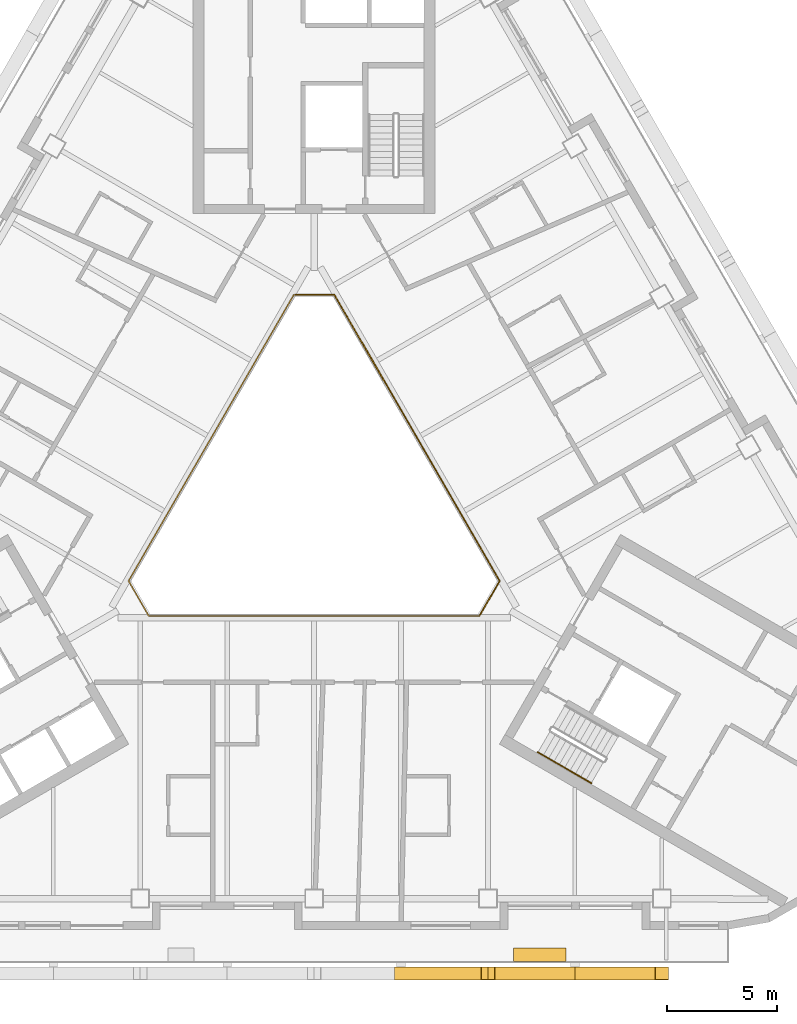
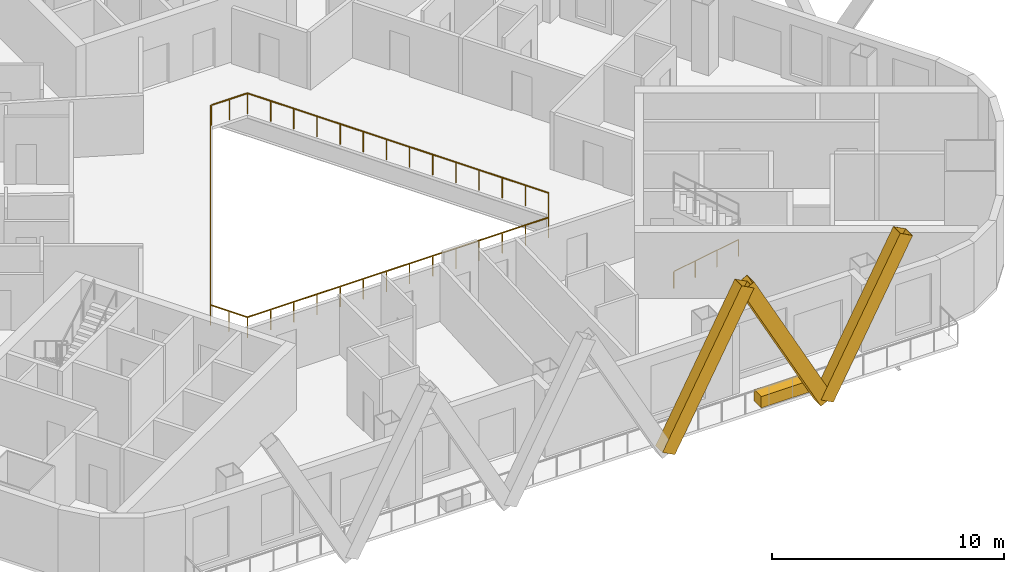
# One storey, part 11 of 14: 3 railings, 3 shading devices, 1 covering.
"""IFC4 building model written with IfcOpenShell, lengths in metres."""

from ifc_helpers import new_model, si_unit, direction, frame, origin, origin_2d, place, context, subcontext, project, spatial, rectangle, hollow_rectangle, circle, extrude, material, material_profile, profile_set, type_object, element, save


model = new_model("IFC4")

# Units and contexts
model_context = context("Model", 3, precision=1e-05, world=origin(), true_north=direction((0.0, 1.0)))
body_context = subcontext(model_context, "Body", "Model", "MODEL_VIEW")
ifc_project = project(units=[si_unit("LENGTHUNIT", "METRE"), si_unit("AREAUNIT", "SQUARE_METRE"), si_unit("VOLUMEUNIT", "CUBIC_METRE"), si_unit("PLANEANGLEUNIT", "RADIAN"), si_unit("MASSUNIT", "GRAM", prefix="KILO")], contexts=[model_context])

# Site, building, storey
site_placement = place(None, origin())
site = spatial("IfcSite", under=ifc_project, at=site_placement, CompositionType="ELEMENT")
building_placement = place(site_placement, origin())
building = spatial("IfcBuilding", under=site, at=building_placement, Name="Apuvela Tower Hotel", CompositionType="ELEMENT")
storey_placement = place(building_placement, frame((0.0, 0.0, 154.0)))
storey = spatial("IfcBuildingStorey", under=building, at=storey_placement, Name="L36", CompositionType="ELEMENT", Elevation=154.0)

# Railing
ifc_material_1 = material(Name="Stainless steel 316 handrail", Category="steel")
railing_type_1 = type_object("IfcRailingType", Name="COR-HANDRAIL-900", PredefinedType="HANDRAIL", material=ifc_material_1)
railing_1_placement = place(storey_placement, frame((10.1689453125, -11.5869140625, 0.168212890625)))
element("IfcRailing", 1, at=railing_1_placement, inside=storey, type_object=railing_type_1, Name="L36 ST3 stair handrail 1", PredefinedType="HANDRAIL", context=body_context, shape_type="SweptSolid", body=[
    extrude(circle(Radius=0.02392578125, at=origin_2d()), frame((0.0, 0.0, 0.8759765625), z_axis=(0.742390482028, -0.42860119049, 0.514934356695), x_axis=(0.49998411664, 0.866034573852, 0.0)), (0.0, 0.0, 1.0), 3.26611328125),
    extrude(rectangle(XDim=0.0419921875, YDim=0.0419921875, at=origin_2d()), origin(), (0.0, 0.0, 1.0), 0.851806640625),
    extrude(rectangle(XDim=0.0419921875, YDim=0.0419921875, at=origin_2d()), frame((0.808349609375, -0.466552734375, 0.560546875)), (0.0, 0.0, 1.0), 0.851806640625),
    extrude(rectangle(XDim=0.0419921875, YDim=0.0419921875, at=origin_2d()), frame((1.616455078125, -0.933349609375, 1.121337890625)), (0.0, 0.0, 1.0), 0.851806640625),
    extrude(rectangle(XDim=0.0419921875, YDim=0.0419921875, at=origin_2d()), frame((2.4248046875, -1.39990234375, 1.681884765625)), (0.0, 0.0, 1.0), 0.851806640625),
])

# Shading devices
ifc_material_2 = material(Name="Aluminium 6063-T6, black anodised", Category="aluminium")
ifc_material_profile = material_profile(ifc_material_2, hollow_rectangle(XDim=0.60009765625, YDim=0.699951171875, WallThickness=0.011962890625, at=origin_2d()), Name="AL BOX 700x600x12")
ifc_profile_set = profile_set([ifc_material_profile], Name="Aluminium 6063-T6, black anodised")
shading_device_type = type_object("IfcShadingDeviceType", Name="ENV-FIN-700x600", PredefinedType="USERDEFINED", material=ifc_profile_set)
for number, where, z_axis, x_axis, name in (
    (2, (3.949951171875, -21.6298828125, -0.10009765625), (0.470885802113, 0.0, 0.882194174413), (0.0, 1.0, 0.0), "Lattice fin S302"),
    (3, (11.85009765625, -21.6298828125, -0.10009765625), (-0.470908452903, 0.0, 0.882182083804), (0.0, -1.0, 0.0), "Lattice fin S303"),
    (4, (11.85009765625, -21.6298828125, -0.10009765625), (0.470885802113, 0.0, 0.882194174413), (0.0, 1.0, 0.0), "Lattice fin S304"),
):
    element("IfcShadingDevice", number, at=place(storey_placement, frame(where, z_axis=z_axis, x_axis=x_axis)), inside=storey, type_object=shading_device_type, Name=name, ObjectType="FIN", PredefinedType="USERDEFINED", context=body_context, shape_type="SweptSolid", body=[
        extrude(hollow_rectangle(XDim=0.60009765625, YDim=0.699951171875, WallThickness=0.011962890625, at=origin_2d()), origin(), (0.0, 0.0, 1.0), 8.388427734375),
    ])

# Railings
ifc_material_3 = material(Name="Stainless steel 316 rail with laminated glass infill", Category="steel")
railing_type_2 = type_object("IfcRailingType", Name="ENV-GUARD-1100", PredefinedType="GUARDRAIL", material=ifc_material_3)
railing_2_placement = place(storey_placement, frame((-0.923828125, 9.199951171875, 0.0)))
element("IfcRailing", 5, at=railing_2_placement, inside=storey, type_object=railing_type_2, Name="Atrium void guard A L36", PredefinedType="GUARDRAIL", context=body_context, shape_type="SweptSolid", body=[
    extrude(rectangle(XDim=0.050048828125, YDim=0.050048828125, at=origin_2d()), frame((0.0, 0.0, 1.0751953125), z_axis=(-0.499990886379, -0.866030665472, 0.0), x_axis=(0.866030665472, -0.499990886379, 0.0)), (0.0, 0.0, 1.0), 15.010986328125),
    extrude(rectangle(XDim=0.050048828125, YDim=0.050048828125, at=origin_2d()), frame((-7.50537109375, -13.0, 1.0751953125), z_axis=(0.499962699187, -0.866046938348, 0.0), x_axis=(0.866046938348, 0.499962699187, 0.0)), (0.0, 0.0, 1.0), 1.847412109375),
    extrude(rectangle(XDim=0.050048828125, YDim=0.050048828125, at=origin_2d()), frame((-6.581787109375, -14.599853515625, 1.0751953125), z_axis=(1.0, 0.0, 0.0), x_axis=(0.0, 1.0, 0.0)), (0.0, 0.0, 1.0), 15.01123046875),
    extrude(rectangle(XDim=0.0400390625, YDim=0.0400390625, at=origin_2d()), origin(), (0.0, 0.0, 1.0), 1.050048828125),
    extrude(rectangle(XDim=0.0400390625, YDim=0.0400390625, at=origin_2d()), frame((-0.577392578125, -1.0, 0.0)), (0.0, 0.0, 1.0), 1.050048828125),
    extrude(rectangle(XDim=0.0400390625, YDim=0.0400390625, at=origin_2d()), frame((-1.15478515625, -2.0, 0.0)), (0.0, 0.0, 1.0), 1.050048828125),
    extrude(rectangle(XDim=0.0400390625, YDim=0.0400390625, at=origin_2d()), frame((-1.73193359375, -3.0, 0.0)), (0.0, 0.0, 1.0), 1.050048828125),
    extrude(rectangle(XDim=0.0400390625, YDim=0.0400390625, at=origin_2d()), frame((-2.309326171875, -4.0, 0.0)), (0.0, 0.0, 1.0), 1.050048828125),
    extrude(rectangle(XDim=0.0400390625, YDim=0.0400390625, at=origin_2d()), frame((-2.88671875, -5.0, 0.0)), (0.0, 0.0, 1.0), 1.050048828125),
    extrude(rectangle(XDim=0.0400390625, YDim=0.0400390625, at=origin_2d()), frame((-3.464111328125, -6.0, 0.0)), (0.0, 0.0, 1.0), 1.050048828125),
    extrude(rectangle(XDim=0.0400390625, YDim=0.0400390625, at=origin_2d()), frame((-4.041259765625, -7.0, 0.0)), (0.0, 0.0, 1.0), 1.050048828125),
    extrude(rectangle(XDim=0.0400390625, YDim=0.0400390625, at=origin_2d()), frame((-4.61865234375, -8.0, 0.0)), (0.0, 0.0, 1.0), 1.050048828125),
    extrude(rectangle(XDim=0.0400390625, YDim=0.0400390625, at=origin_2d()), frame((-5.196044921875, -9.0, 0.0)), (0.0, 0.0, 1.0), 1.050048828125),
    extrude(rectangle(XDim=0.0400390625, YDim=0.0400390625, at=origin_2d()), frame((-5.7734375, -10.0, 0.0)), (0.0, 0.0, 1.0), 1.050048828125),
    extrude(rectangle(XDim=0.0400390625, YDim=0.0400390625, at=origin_2d()), frame((-6.3505859375, -11.0, 0.0)), (0.0, 0.0, 1.0), 1.050048828125),
    extrude(rectangle(XDim=0.0400390625, YDim=0.0400390625, at=origin_2d()), frame((-6.927978515625, -12.0, 0.0)), (0.0, 0.0, 1.0), 1.050048828125),
    extrude(rectangle(XDim=0.0400390625, YDim=0.0400390625, at=origin_2d()), frame((-7.50537109375, -13.0, 0.0)), (0.0, 0.0, 1.0), 1.050048828125),
    extrude(rectangle(XDim=0.0400390625, YDim=0.0400390625, at=origin_2d()), frame((-7.04345703125, -13.7998046875, 0.0)), (0.0, 0.0, 1.0), 1.050048828125),
    extrude(rectangle(XDim=0.0400390625, YDim=0.0400390625, at=origin_2d()), frame((-6.581787109375, -14.599853515625, 0.0)), (0.0, 0.0, 1.0), 1.050048828125),
    extrude(rectangle(XDim=0.0400390625, YDim=0.0400390625, at=origin_2d()), frame((-5.427001953125, -14.599853515625, 0.0)), (0.0, 0.0, 1.0), 1.050048828125),
    extrude(rectangle(XDim=0.0400390625, YDim=0.0400390625, at=origin_2d()), frame((-4.2724609375, -14.599853515625, 0.0)), (0.0, 0.0, 1.0), 1.050048828125),
    extrude(rectangle(XDim=0.0400390625, YDim=0.0400390625, at=origin_2d()), frame((-3.11767578125, -14.599853515625, 0.0)), (0.0, 0.0, 1.0), 1.050048828125),
    extrude(rectangle(XDim=0.0400390625, YDim=0.0400390625, at=origin_2d()), frame((-1.962890625, -14.599853515625, 0.0)), (0.0, 0.0, 1.0), 1.050048828125),
    extrude(rectangle(XDim=0.0400390625, YDim=0.0400390625, at=origin_2d()), frame((-0.808349609375, -14.599853515625, 0.0)), (0.0, 0.0, 1.0), 1.050048828125),
    extrude(rectangle(XDim=0.0400390625, YDim=0.0400390625, at=origin_2d()), frame((0.346435546875, -14.599853515625, 0.0)), (0.0, 0.0, 1.0), 1.050048828125),
    extrude(rectangle(XDim=0.0400390625, YDim=0.0400390625, at=origin_2d()), frame((1.501220703125, -14.599853515625, 0.0)), (0.0, 0.0, 1.0), 1.050048828125),
    extrude(rectangle(XDim=0.0400390625, YDim=0.0400390625, at=origin_2d()), frame((2.656005859375, -14.599853515625, 0.0)), (0.0, 0.0, 1.0), 1.050048828125),
    extrude(rectangle(XDim=0.0400390625, YDim=0.0400390625, at=origin_2d()), frame((3.810546875, -14.599853515625, 0.0)), (0.0, 0.0, 1.0), 1.050048828125),
    extrude(rectangle(XDim=0.0400390625, YDim=0.0400390625, at=origin_2d()), frame((4.96533203125, -14.599853515625, 0.0)), (0.0, 0.0, 1.0), 1.050048828125),
    extrude(rectangle(XDim=0.0400390625, YDim=0.0400390625, at=origin_2d()), frame((6.1201171875, -14.599853515625, 0.0)), (0.0, 0.0, 1.0), 1.050048828125),
    extrude(rectangle(XDim=0.0400390625, YDim=0.0400390625, at=origin_2d()), frame((7.274658203125, -14.599853515625, 0.0)), (0.0, 0.0, 1.0), 1.050048828125),
    extrude(rectangle(XDim=0.0400390625, YDim=0.0400390625, at=origin_2d()), frame((8.429443359375, -14.599853515625, 0.0)), (0.0, 0.0, 1.0), 1.050048828125),
])
railing_3_placement = place(storey_placement, frame((7.53564453125, -5.347900390625, 0.0)))
element("IfcRailing", 6, at=railing_3_placement, inside=storey, type_object=railing_type_2, Name="Atrium void guard B L36", PredefinedType="GUARDRAIL", context=body_context, shape_type="SweptSolid", body=[
    extrude(rectangle(XDim=0.050048828125, YDim=0.050048828125, at=origin_2d()), frame((0.0, 0.0, 1.0751953125), z_axis=(0.499958946799, 0.866049104564, 0.0), x_axis=(-0.866049104564, 0.499958946799, 0.0)), (0.0, 0.0, 1.0), 1.787353515625),
    extrude(rectangle(XDim=0.050048828125, YDim=0.050048828125, at=origin_2d()), frame((0.8935546875, 1.5478515625, 1.0751953125), z_axis=(-0.499990886379, 0.866030665472, 0.0), x_axis=(-0.866030665472, -0.499990886379, 0.0)), (0.0, 0.0, 1.0), 15.010986328125),
    extrude(rectangle(XDim=0.050048828125, YDim=0.050048828125, at=origin_2d()), frame((-6.61181640625, 14.5478515625, 1.0751953125), z_axis=(-1.0, 0.0, 0.0), x_axis=(0.0, -1.0, 0.0)), (0.0, 0.0, 1.0), 1.78759765625),
    extrude(rectangle(XDim=0.0400390625, YDim=0.0400390625, at=origin_2d()), origin(), (0.0, 0.0, 1.0), 1.050048828125),
    extrude(rectangle(XDim=0.0400390625, YDim=0.0400390625, at=origin_2d()), frame((0.44677734375, 0.77392578125, 0.0)), (0.0, 0.0, 1.0), 1.050048828125),
    extrude(rectangle(XDim=0.0400390625, YDim=0.0400390625, at=origin_2d()), frame((0.8935546875, 1.5478515625, 0.0)), (0.0, 0.0, 1.0), 1.050048828125),
    extrude(rectangle(XDim=0.0400390625, YDim=0.0400390625, at=origin_2d()), frame((0.316162109375, 2.5478515625, 0.0)), (0.0, 0.0, 1.0), 1.050048828125),
    extrude(rectangle(XDim=0.0400390625, YDim=0.0400390625, at=origin_2d()), frame((-0.26123046875, 3.5478515625, 0.0)), (0.0, 0.0, 1.0), 1.050048828125),
    extrude(rectangle(XDim=0.0400390625, YDim=0.0400390625, at=origin_2d()), frame((-0.83837890625, 4.5478515625, 0.0)), (0.0, 0.0, 1.0), 1.050048828125),
    extrude(rectangle(XDim=0.0400390625, YDim=0.0400390625, at=origin_2d()), frame((-1.415771484375, 5.5478515625, 0.0)), (0.0, 0.0, 1.0), 1.050048828125),
    extrude(rectangle(XDim=0.0400390625, YDim=0.0400390625, at=origin_2d()), frame((-1.9931640625, 6.5478515625, 0.0)), (0.0, 0.0, 1.0), 1.050048828125),
    extrude(rectangle(XDim=0.0400390625, YDim=0.0400390625, at=origin_2d()), frame((-2.570556640625, 7.5478515625, 0.0)), (0.0, 0.0, 1.0), 1.050048828125),
    extrude(rectangle(XDim=0.0400390625, YDim=0.0400390625, at=origin_2d()), frame((-3.147705078125, 8.5478515625, 0.0)), (0.0, 0.0, 1.0), 1.050048828125),
    extrude(rectangle(XDim=0.0400390625, YDim=0.0400390625, at=origin_2d()), frame((-3.72509765625, 9.5478515625, 0.0)), (0.0, 0.0, 1.0), 1.050048828125),
    extrude(rectangle(XDim=0.0400390625, YDim=0.0400390625, at=origin_2d()), frame((-4.302490234375, 10.5478515625, 0.0)), (0.0, 0.0, 1.0), 1.050048828125),
    extrude(rectangle(XDim=0.0400390625, YDim=0.0400390625, at=origin_2d()), frame((-4.8798828125, 11.5478515625, 0.0)), (0.0, 0.0, 1.0), 1.050048828125),
    extrude(rectangle(XDim=0.0400390625, YDim=0.0400390625, at=origin_2d()), frame((-5.45703125, 12.5478515625, 0.0)), (0.0, 0.0, 1.0), 1.050048828125),
    extrude(rectangle(XDim=0.0400390625, YDim=0.0400390625, at=origin_2d()), frame((-6.034423828125, 13.5478515625, 0.0)), (0.0, 0.0, 1.0), 1.050048828125),
    extrude(rectangle(XDim=0.0400390625, YDim=0.0400390625, at=origin_2d()), frame((-6.61181640625, 14.5478515625, 0.0)), (0.0, 0.0, 1.0), 1.050048828125),
    extrude(rectangle(XDim=0.0400390625, YDim=0.0400390625, at=origin_2d()), frame((-7.505615234375, 14.5478515625, 0.0)), (0.0, 0.0, 1.0), 1.050048828125),
    extrude(rectangle(XDim=0.0400390625, YDim=0.0400390625, at=origin_2d()), frame((-8.3994140625, 14.5478515625, 0.0)), (0.0, 0.0, 1.0), 1.050048828125),
])

# Covering
ifc_material_4 = material(Name="Planting substrate and soil, planted")
covering_type = type_object("IfcCoveringType", Name="ENV-PLANTER-2400x600", PredefinedType="USERDEFINED", material=ifc_material_4)
covering_placement = place(storey_placement, frame((10.250244140625, -20.780029296875, 0.0), z_axis=(0.0, 0.0, 1.0), x_axis=(1.0, 0.0, 0.0)))
element("IfcCovering", 7, at=covering_placement, inside=storey, type_object=covering_type, Name="Planter S2", ObjectType="PLANTER", PredefinedType="USERDEFINED", context=body_context, shape_type="SweptSolid", body=[
    extrude(rectangle(XDim=2.39990234375, YDim=0.60009765625, at=origin_2d()), origin(), (0.0, 0.0, 1.0), 0.60009765625),
])

save(model, "model.ifc")
